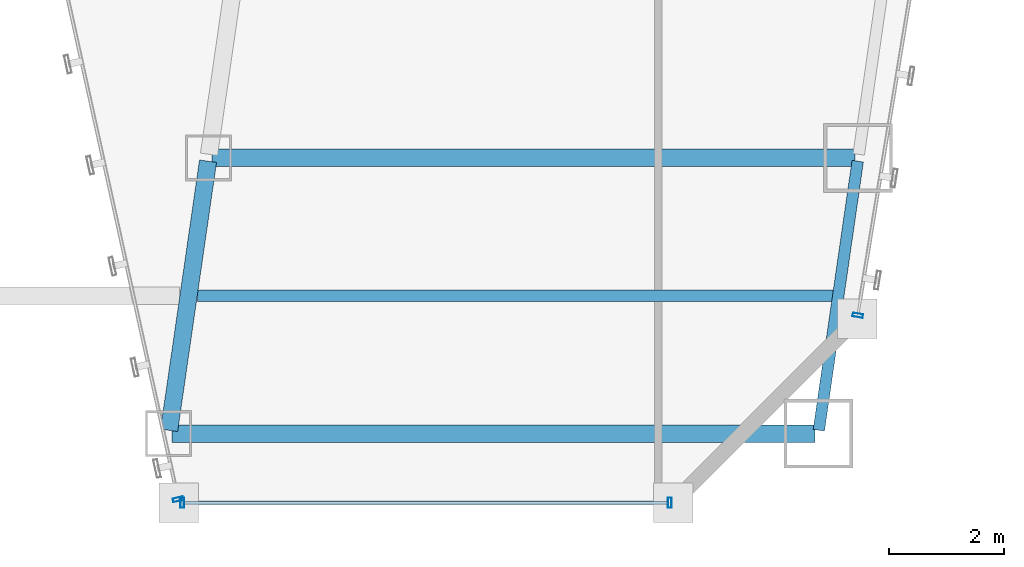
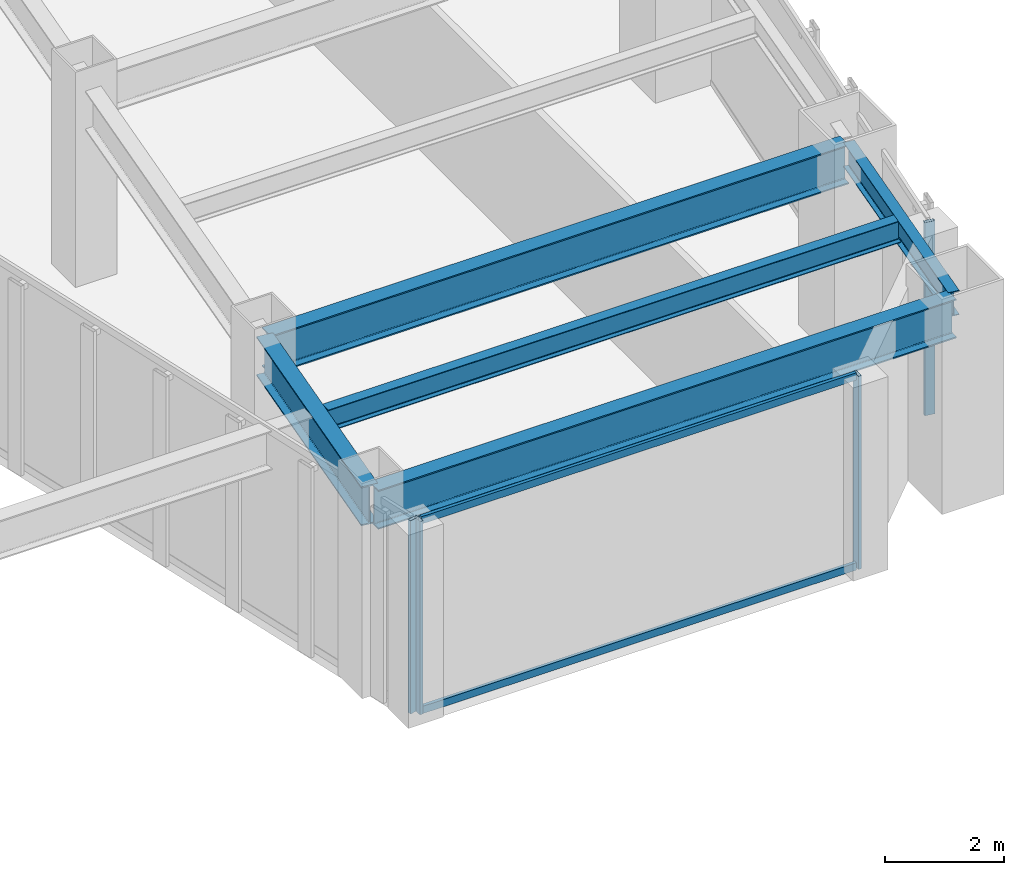
# One storey, part 15 of 47: 6 members, 5 beams, 3 elements without a shape of their own.
"""IFC4 building model written with IfcOpenShell, lengths in metres."""

from ifc_helpers import new_model, si_unit, direction, frame, origin, origin_2d, place, context, subcontext, project, spatial, hollow_rectangle, i_section, extrude, material, material_profile, profile_set, type_object, element, aggregate, save


model = new_model("IFC4")

# Units and contexts
model_context = context("Model", 3, precision=1e-05, world=origin(), true_north=direction((0.0, 1.0)))
body_context = subcontext(model_context, "Body", "Model", "MODEL_VIEW")
ifc_project = project(units=[si_unit("LENGTHUNIT", "METRE"), si_unit("AREAUNIT", "SQUARE_METRE"), si_unit("VOLUMEUNIT", "CUBIC_METRE"), si_unit("PLANEANGLEUNIT", "RADIAN"), si_unit("MASSUNIT", "GRAM", prefix="KILO")], contexts=[model_context])

# Site, building, storey
site_placement = place(None, origin())
site = spatial("IfcSite", under=ifc_project, at=site_placement, CompositionType="ELEMENT")
building_placement = place(site_placement, origin())
building = spatial("IfcBuilding", under=site, at=building_placement, Name="Saevonmaru Cultural Tower", CompositionType="ELEMENT")
storey_placement = place(building_placement, frame((0.0, 0.0, 82.39990234375)))
storey = spatial("IfcBuildingStorey", under=building, at=storey_placement, Name="L17", CompositionType="ELEMENT", Elevation=82.39990234375)

# Beams
ifc_material_1 = material(Name="Steel SM420", Category="steel")
ifc_material_profile_1 = material_profile(ifc_material_1, i_section(OverallWidth=0.300048828125, OverallDepth=0.800048828125, WebThickness=0.013916015625, FlangeThickness=0.02587890625, FilletRadius=0.028076171875, at=origin_2d()), Name="H-800x300x14x26")
ifc_profile_set_1 = profile_set([ifc_material_profile_1], Name="Steel SM420")
beam_type_1 = type_object("IfcBeamType", Name="BM-G-H800", PredefinedType="BEAM", material=ifc_profile_set_1)
beam_1_placement = place(storey_placement, frame((36.231689453125, 3.259521484375, 3.550048828125), z_axis=(0.143083234893, 0.989710658674, 0.0), x_axis=(-0.989710658674, 0.143083234893, 0.0)))
element("IfcBeam", 1, at=beam_1_placement, inside=storey, type_object=beam_type_1, Name="L17 East Atrium Girder 1", PredefinedType="BEAM", context=body_context, shape_type="SweptSolid", body=[
    extrude(i_section(OverallWidth=0.300048828125, OverallDepth=0.800048828125, WebThickness=0.013916015625, FlangeThickness=0.02587890625, FilletRadius=0.028076171875, at=origin_2d()), origin(), (0.0, 0.0, 1.0), 4.729736328125),
])
for number, where, z_axis, x_axis, name in (
    (2, (36.282958984375, 3.199951171875, 3.550048828125), (1.0, 0.0, 0.0), (0.0, 1.0, 0.0), "L17 East Wing Transverse Girder 1"),
    (3, (36.97705078125, 8.0, 3.550048828125), (1.0, 0.0, 0.0), (0.0, 1.0, 0.0), "L17 East Wing Transverse Girder 2"),
):
    element("IfcBeam", number, at=place(storey_placement, frame(where, z_axis=z_axis, x_axis=x_axis)), inside=storey, type_object=beam_type_1, Name=name, PredefinedType="BEAM", context=body_context, shape_type="SweptSolid", body=[
        extrude(i_section(OverallWidth=0.300048828125, OverallDepth=0.800048828125, WebThickness=0.013916015625, FlangeThickness=0.02587890625, FilletRadius=0.028076171875, at=origin_2d()), origin(), (0.0, 0.0, 1.0), 11.179931640625),
    ])
ifc_material_2 = material(Name="Steel SM355", Category="steel")
ifc_material_profile_2 = material_profile(ifc_material_2, i_section(OverallWidth=0.199951171875, OverallDepth=0.449951171875, WebThickness=0.009033203125, FlangeThickness=0.013916015625, FilletRadius=0.01806640625, at=origin_2d()), Name="H-450x200x9x14")
ifc_profile_set_2 = profile_set([ifc_material_profile_2], Name="Steel SM355")
beam_type_2 = type_object("IfcBeamType", Name="BM-J-H450", PredefinedType="JOIST", material=ifc_profile_set_2)
beam_2_placement = place(storey_placement, frame((36.72802734375, 5.60009765625, 3.72509765625), z_axis=(1.0, 0.0, 0.0), x_axis=(0.0, 1.0, 0.0)))
element("IfcBeam", 4, at=beam_2_placement, inside=storey, type_object=beam_type_2, Name="L17 East Wing Floor Joist 1", PredefinedType="JOIST", context=body_context, shape_type="SweptSolid", body=[
    extrude(i_section(OverallWidth=0.199951171875, OverallDepth=0.449951171875, WebThickness=0.009033203125, FlangeThickness=0.013916015625, FilletRadius=0.01806640625, at=origin_2d()), origin(), (0.0, 0.0, 1.0), 11.08203125),
])
ifc_material_profile_3 = material_profile(ifc_material_2, i_section(OverallWidth=0.199951171875, OverallDepth=0.5, WebThickness=0.010009765625, FlangeThickness=0.01611328125, FilletRadius=0.02001953125, at=origin_2d()), Name="H-500x200x10x16")
ifc_profile_set_3 = profile_set([ifc_material_profile_3], Name="Steel SM355")
beam_type_3 = type_object("IfcBeamType", Name="BM-SP-H500", PredefinedType="SPANDREL", material=ifc_profile_set_3)
beam_3_placement = place(storey_placement, frame((47.531494140625, 3.259521484375, 3.7001953125), z_axis=(0.14313379491, 0.989703347855, 0.0), x_axis=(-0.989703347855, 0.14313379491, 0.0)))
element("IfcBeam", 5, at=beam_3_placement, inside=storey, type_object=beam_type_3, Name="L17 East Splayed Spandrel 1", PredefinedType="SPANDREL", context=body_context, shape_type="SweptSolid", body=[
    extrude(i_section(OverallWidth=0.199951171875, OverallDepth=0.5, WebThickness=0.010009765625, FlangeThickness=0.01611328125, FilletRadius=0.02001953125, at=origin_2d()), origin(), (0.0, 0.0, 1.0), 4.729736328125),
])

# Curtain wall, member
ifc_material_3 = material(Name="Satin Bronze Anodised Aluminium", Category="aluminium")
curtain_wall_type = type_object("IfcCurtainWallType", Name="CW-TYP-A", PredefinedType="NOTDEFINED", material=ifc_material_3)
curtain_wall_1_placement = place(storey_placement, origin())
curtain_wall_1 = element("IfcCurtainWall", 6, at=curtain_wall_1_placement, inside=storey, type_object=curtain_wall_type, Name="L17 Unitised Curtain Wall E5", PredefinedType="NOTDEFINED")
ifc_material_profile_4 = material_profile(ifc_material_3, hollow_rectangle(XDim=0.06494140625, YDim=0.179931640625, WallThickness=0.00390625, at=origin_2d()), Name="ALU-MULL-180x65x4")
ifc_profile_set_4 = profile_set([ifc_material_profile_4], Name="Satin Bronze Anodised Aluminium")
member_type_1 = type_object("IfcMemberType", Name="ML-CW-180x65", PredefinedType="MULLION", material=ifc_profile_set_4)
member_1_placement = place(storey_placement, frame((36.38720703125, 2.05859375, 0.0), z_axis=(0.0, 0.0, 1.0), x_axis=(0.215413319953, -0.976522965212, 0.0)))
member_1 = element("IfcMember", 7, at=member_1_placement, type_object=member_type_1, Name="CW-TW-L17-E5 mullion 2", PredefinedType="MULLION", context=body_context, shape_type="SweptSolid", body=[
    extrude(hollow_rectangle(XDim=0.06494140625, YDim=0.179931640625, WallThickness=0.00390625, at=origin_2d()), origin(), (0.0, 0.0, 1.0), 3.9501953125),
])
aggregate(curtain_wall_1, [member_1])

# Curtain wall, members
curtain_wall_2_placement = place(storey_placement, origin())
curtain_wall_2 = element("IfcCurtainWall", 8, at=curtain_wall_2_placement, inside=storey, type_object=curtain_wall_type, Name="L17 Unitised Curtain Wall E6", PredefinedType="NOTDEFINED")
member_2_placement = place(storey_placement, frame((36.4599609375, 2.0, 0.0), z_axis=(0.0, 0.0, 1.0), x_axis=(1.0, 0.0, 0.0)))
member_2 = element("IfcMember", 9, at=member_2_placement, type_object=member_type_1, Name="CW-TW-L17-E6 mullion 1", PredefinedType="MULLION", context=body_context, shape_type="SweptSolid", body=[
    extrude(hollow_rectangle(XDim=0.06494140625, YDim=0.179931640625, WallThickness=0.00390625, at=origin_2d()), origin(), (0.0, 0.0, 1.0), 3.9501953125),
])
member_3_placement = place(storey_placement, frame((44.93994140625, 2.0, 0.0), z_axis=(0.0, 0.0, 1.0), x_axis=(1.0, 0.0, 0.0)))
member_3 = element("IfcMember", 10, at=member_3_placement, type_object=member_type_1, Name="CW-TW-L17-E6 mullion 2", PredefinedType="MULLION", context=body_context, shape_type="SweptSolid", body=[
    extrude(hollow_rectangle(XDim=0.06494140625, YDim=0.179931640625, WallThickness=0.00390625, at=origin_2d()), origin(), (0.0, 0.0, 1.0), 3.9501953125),
])

# Curtain wall, member
curtain_wall_3_placement = place(storey_placement, origin())
curtain_wall_3 = element("IfcCurtainWall", 11, at=curtain_wall_3_placement, inside=storey, type_object=curtain_wall_type, Name="L17 Unitised Curtain Wall E8", PredefinedType="NOTDEFINED")
member_4_placement = place(storey_placement, frame((48.209716796875, 5.25927734375, 0.0), z_axis=(0.0, 0.0, 1.0), x_axis=(0.161708868641, 0.986838508472, 0.0)))
member_4 = element("IfcMember", 12, at=member_4_placement, type_object=member_type_1, Name="CW-TW-L17-E8 mullion 1", PredefinedType="MULLION", context=body_context, shape_type="SweptSolid", body=[
    extrude(hollow_rectangle(XDim=0.06494140625, YDim=0.179931640625, WallThickness=0.00390625, at=origin_2d()), origin(), (0.0, 0.0, 1.0), 3.9501953125),
])
aggregate(curtain_wall_3, [member_4])

# Member
ifc_material_profile_5 = material_profile(ifc_material_3, hollow_rectangle(XDim=0.06494140625, YDim=0.14990234375, WallThickness=0.00390625, at=origin_2d()), Name="ALU-TRAN-150x65x4")
ifc_profile_set_5 = profile_set([ifc_material_profile_5], Name="Satin Bronze Anodised Aluminium")
member_type_2 = type_object("IfcMemberType", Name="TR-CW-150x65", PredefinedType="USERDEFINED", material=ifc_profile_set_5)
member_5_placement = place(storey_placement, frame((36.492431640625, 2.0, 0.03271484375), z_axis=(1.0, 0.0, 0.0), x_axis=(0.0, 1.0, 0.0)))
member_5 = element("IfcMember", 13, at=member_5_placement, type_object=member_type_2, Name="CW-TW-L17-E6 transom 1.1", ObjectType="TRANSOM", PredefinedType="USERDEFINED", context=body_context, shape_type="SweptSolid", body=[
    extrude(hollow_rectangle(XDim=0.06494140625, YDim=0.14990234375, WallThickness=0.00390625, at=origin_2d()), origin(), (0.0, 0.0, 1.0), 8.4150390625),
])

member_6_placement = place(storey_placement, frame((36.492431640625, 2.0, 3.91748046875), z_axis=(1.0, 0.0, 0.0), x_axis=(0.0, 1.0, 0.0)))
member_6 = element("IfcMember", 14, at=member_6_placement, type_object=member_type_2, Name="CW-TW-L17-E6 transom 1.2", ObjectType="TRANSOM", PredefinedType="USERDEFINED", context=body_context, shape_type="SweptSolid", body=[
    extrude(hollow_rectangle(XDim=0.06494140625, YDim=0.14990234375, WallThickness=0.00390625, at=origin_2d()), origin(), (0.0, 0.0, 1.0), 8.4150390625),
])

aggregate(curtain_wall_2, [member_2, member_3, member_5, member_6])

save(model, "model.ifc")
